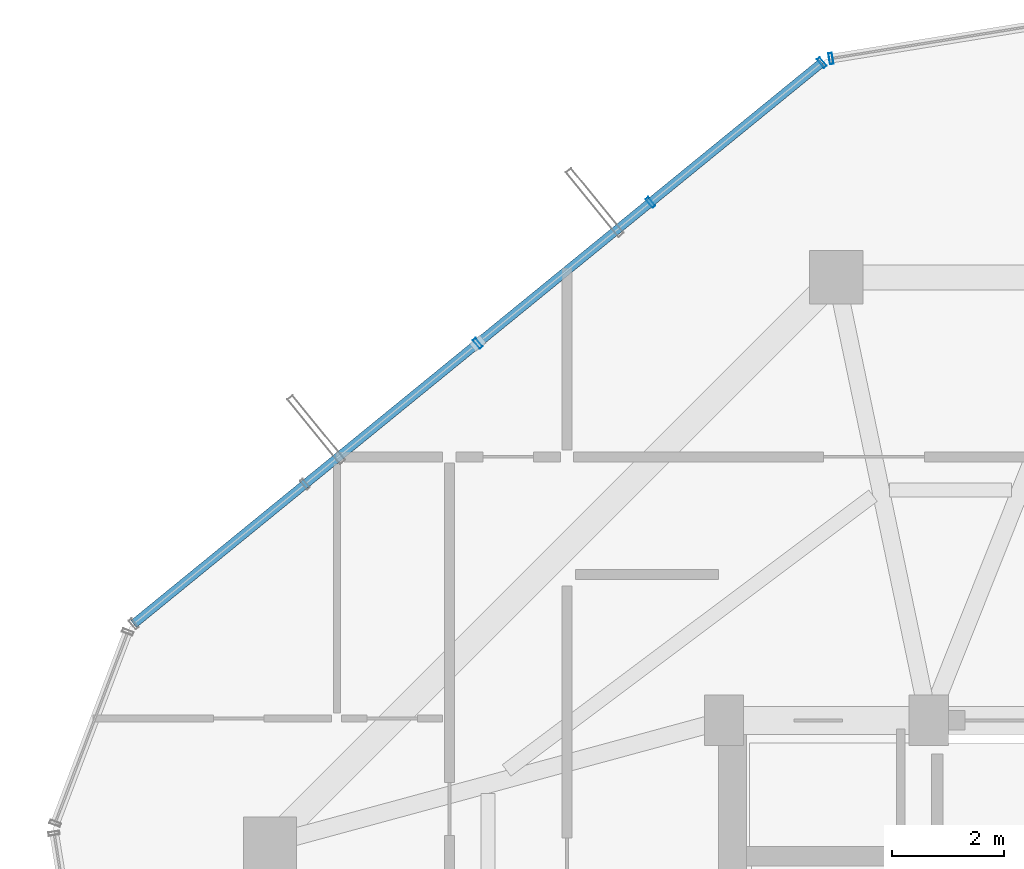
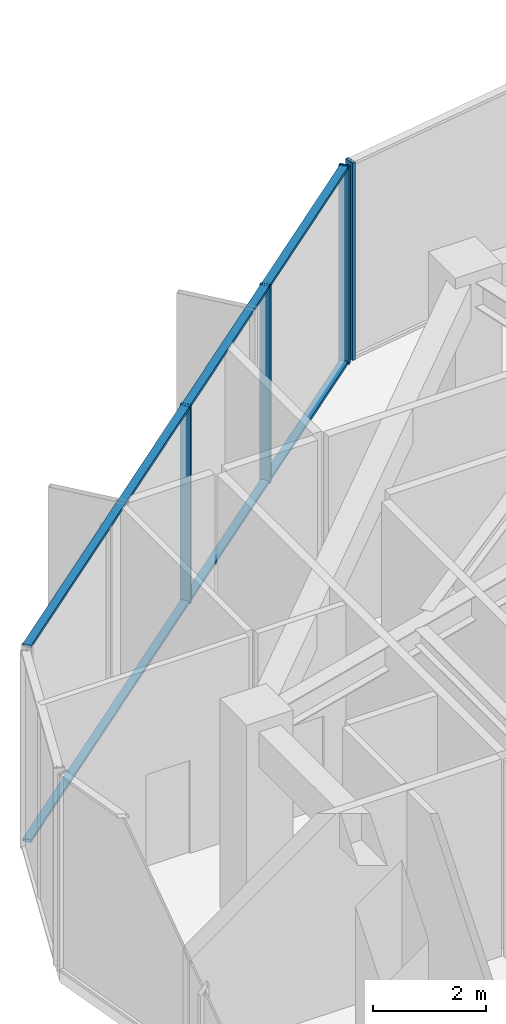
# One storey, part 14 of 22: 6 members, 2 elements without a shape of their own.
"""IFC4 building model written with IfcOpenShell, lengths in metres."""

from ifc_helpers import new_model, si_unit, direction, frame, origin, origin_2d, place, context, subcontext, project, spatial, hollow_rectangle, extrude, source, transform, mapped, material, layer, layer_set, material_profile, profile_set, type_object, element, aggregate, save


model = new_model("IFC4")

# Units and contexts
model_context = context("Model", 3, precision=1e-05, world=origin(), true_north=direction((0.0, 1.0)))
body_context = subcontext(model_context, "Body", "Model", "MODEL_VIEW")
ifc_project = project(units=[si_unit("LENGTHUNIT", "METRE"), si_unit("AREAUNIT", "SQUARE_METRE"), si_unit("VOLUMEUNIT", "CUBIC_METRE"), si_unit("PLANEANGLEUNIT", "RADIAN"), si_unit("MASSUNIT", "GRAM", prefix="KILO")], contexts=[model_context])

# Site, building, storey
site_placement = place(None, origin())
site = spatial("IfcSite", under=ifc_project, at=site_placement, CompositionType="ELEMENT")
building_placement = place(site_placement, origin())
building = spatial("IfcBuilding", under=site, at=building_placement, Name="Veraguas Prism Commons", CompositionType="ELEMENT")
storey_placement = place(building_placement, frame((0.0, 0.0, 174.35009765625)))
storey = spatial("IfcBuildingStorey", under=building, at=storey_placement, Name="L49", CompositionType="ELEMENT", Elevation=174.35009765625)

# Curtain wall, members
ifc_material = material(Name="Anodised aluminium EN AW-6063 T6", Category="aluminium")
ifc_layer = layer(ifc_material, 0.199951171875, Name="Sky Lobby and Pool Acoustic Curtain Wall", Category="aluminium")
ifc_layer_set = layer_set([ifc_layer], Name="Anodised aluminium EN AW-6063 T6")
curtain_wall_type = type_object("IfcCurtainWallType", Name="Sky Lobby and Pool Acoustic Curtain Wall", PredefinedType="NOTDEFINED", material=ifc_layer_set)
curtain_wall_1_placement = place(storey_placement, origin())
curtain_wall_1 = element("IfcCurtainWall", 1, at=curtain_wall_1_placement, inside=storey, type_object=curtain_wall_type, Name="Tower Facade Curtain Wall L49-F2", PredefinedType="NOTDEFINED")
ifc_material_profile_1 = material_profile(ifc_material, hollow_rectangle(XDim=0.06494140625, YDim=0.199951171875, WallThickness=0.00390625, at=origin_2d()), Name="AL65X200X4")
ifc_profile_set_1 = profile_set([ifc_material_profile_1], Name="Anodised aluminium EN AW-6063 T6")
member_type_1 = type_object("IfcMemberType", Name="Curtain Wall Mullion Heavy AL 65x200x4", PredefinedType="MULLION", material=ifc_profile_set_1)
shared_shape_1 = source(origin(), body_context, "Body", "SweptSolid", [
    extrude(hollow_rectangle(XDim=0.06494140625, YDim=0.199951171875, WallThickness=0.00390625, at=origin_2d()), origin(), (0.0, 0.0, 1.0), 4.264892578125),
])
member_1_placement = place(storey_placement, frame((18.943115234375, 42.729248046875, 0.0), z_axis=(0.0, 0.0, 1.0), x_axis=(-0.774941179396, -0.632033360256, 0.0)))
member_1 = element("IfcMember", 2, at=member_1_placement, type_object=member_type_1, Name="CW-SKY Mullion 1", PredefinedType="MULLION", context=body_context, shape_type="MappedRepresentation", body=[
    mapped(shared_shape_1, transform((0.0, 0.0, 0.0), scale=1.0)),
])
member_2_placement = place(storey_placement, frame((15.887451171875, 40.237060546875, 0.0), z_axis=(0.0, 0.0, 1.0), x_axis=(-0.774941179396, -0.632033360256, 0.0)))
member_2 = element("IfcMember", 3, at=member_2_placement, type_object=member_type_1, Name="CW-SKY Mullion 2", PredefinedType="MULLION", context=body_context, shape_type="MappedRepresentation", body=[
    mapped(shared_shape_1, transform((0.0, 0.0, 0.0), scale=1.0)),
])
member_3_placement = place(storey_placement, frame((12.806640625, 37.724365234375, 0.0), z_axis=(0.0, 0.0, 1.0), x_axis=(-0.774941179396, -0.632033360256, 0.0)))
member_3 = element("IfcMember", 4, at=member_3_placement, type_object=member_type_1, Name="CW-SKY Mullion 3", PredefinedType="MULLION", context=body_context, shape_type="MappedRepresentation", body=[
    mapped(shared_shape_1, transform((0.0, 0.0, 0.0), scale=1.0)),
])

# Curtain wall, member
curtain_wall_2_placement = place(storey_placement, origin())
curtain_wall_2 = element("IfcCurtainWall", 5, at=curtain_wall_2_placement, inside=storey, type_object=curtain_wall_type, Name="Chamfer Curtain Wall L49-C2", PredefinedType="NOTDEFINED")
member_4_placement = place(storey_placement, frame((19.106201171875, 42.802490234375, 0.0), z_axis=(0.0, 0.0, 1.0), x_axis=(-0.987138776359, -0.159865681772, 0.0)))
member_4 = element("IfcMember", 6, at=member_4_placement, type_object=member_type_1, Name="CW-SKY Mullion 2", PredefinedType="MULLION", context=body_context, shape_type="MappedRepresentation", body=[
    mapped(shared_shape_1, transform((0.0, 0.0, 0.0), scale=1.0)),
])
aggregate(curtain_wall_2, [member_4])

# Member
ifc_material_profile_2 = material_profile(ifc_material, hollow_rectangle(XDim=0.06005859375, YDim=0.159912109375, WallThickness=0.0029296875, at=origin_2d()), Name="AL60X160X3")
ifc_profile_set_2 = profile_set([ifc_material_profile_2], Name="Anodised aluminium EN AW-6063 T6")
member_type_2 = type_object("IfcMemberType", Name="Curtain Wall Transom Heavy AL 60x160x3", PredefinedType="USERDEFINED", material=ifc_profile_set_2)
shared_shape_2 = source(origin(), body_context, "Body", "SweptSolid", [
    extrude(hollow_rectangle(XDim=0.06005859375, YDim=0.159912109375, WallThickness=0.0029296875, at=origin_2d()), origin(), (0.0, 0.0, 1.0), 15.83740234375),
])
member_5_placement = place(storey_placement, frame((18.943115234375, 42.729248046875, 0.02978515625), z_axis=(-0.774938535736, -0.632036601655, 0.0), x_axis=(0.0, 0.0, 1.0)))
member_5 = element("IfcMember", 7, at=member_5_placement, type_object=member_type_2, Name="CW-SKY Transom 1", ObjectType="TRANSOM", PredefinedType="USERDEFINED", context=body_context, shape_type="MappedRepresentation", body=[
    mapped(shared_shape_2, transform((0.0, 0.0, 0.0), scale=1.0)),
])

member_6_placement = place(storey_placement, frame((18.943115234375, 42.729248046875, 4.23486328125), z_axis=(-0.774938535736, -0.632036601655, 0.0), x_axis=(0.0, 0.0, 1.0)))
member_6 = element("IfcMember", 8, at=member_6_placement, type_object=member_type_2, Name="CW-SKY Transom 2", ObjectType="TRANSOM", PredefinedType="USERDEFINED", context=body_context, shape_type="MappedRepresentation", body=[
    mapped(shared_shape_2, transform((0.0, 0.0, 0.0), scale=1.0)),
])

aggregate(curtain_wall_1, [member_1, member_2, member_3, member_5, member_6])

save(model, "model.ifc")
